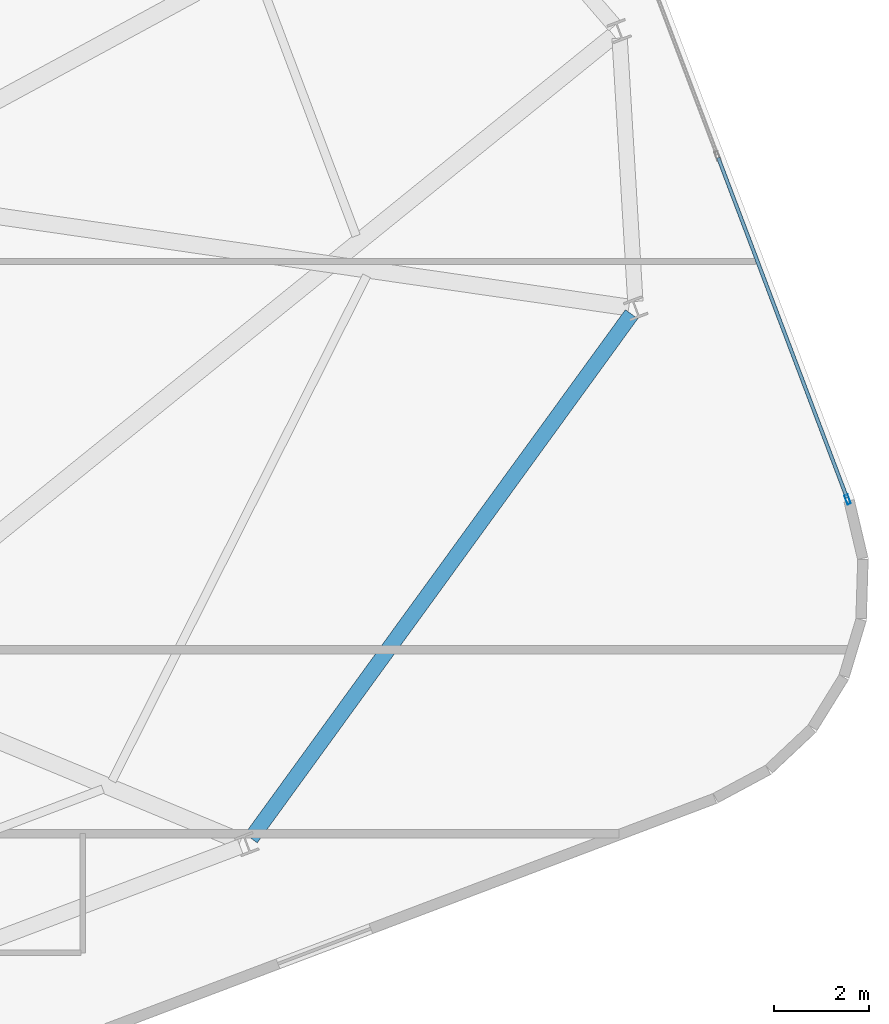
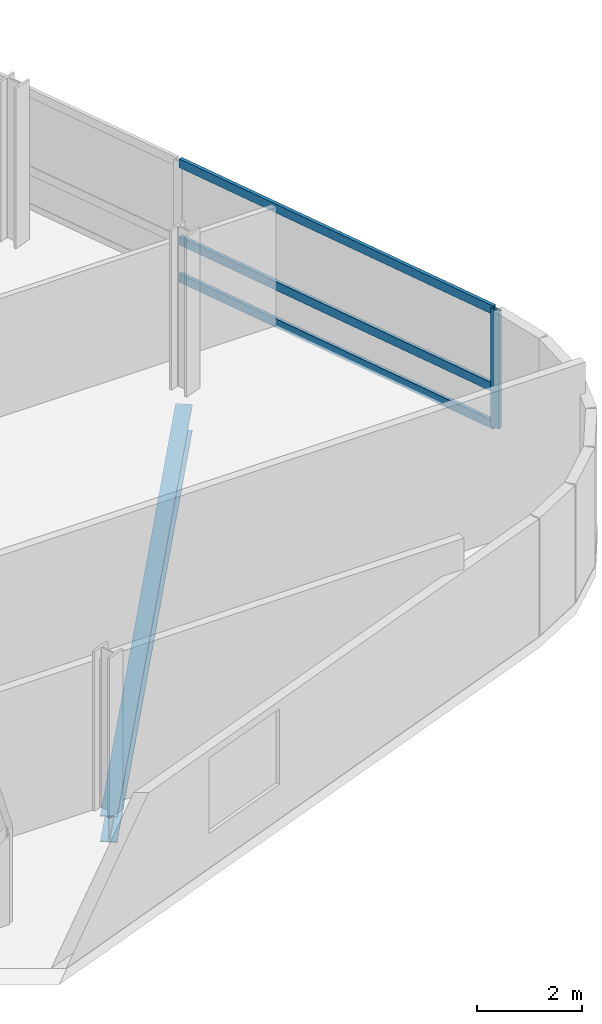
# One storey, part 11 of 19: 4 members, 1 beam, 1 element without a shape of its own.
"""IFC4 building model written with IfcOpenShell, lengths in metres."""

from ifc_helpers import new_model, si_unit, direction, frame, origin, origin_2d, place, context, subcontext, project, spatial, hollow_rectangle, i_section, extrude, material, layer, layer_set, material_profile, profile_set, type_object, element, aggregate, save


model = new_model("IFC4")

# Units and contexts
model_context = context("Model", 3, precision=1e-05, world=origin(), true_north=direction((0.0, 1.0)))
body_context = subcontext(model_context, "Body", "Model", "MODEL_VIEW")
ifc_project = project(units=[si_unit("LENGTHUNIT", "METRE"), si_unit("AREAUNIT", "SQUARE_METRE"), si_unit("VOLUMEUNIT", "CUBIC_METRE"), si_unit("PLANEANGLEUNIT", "RADIAN"), si_unit("MASSUNIT", "GRAM", prefix="KILO")], contexts=[model_context])

# Site, building, storey
site_placement = place(None, origin())
site = spatial("IfcSite", under=ifc_project, at=site_placement, CompositionType="ELEMENT")
building_placement = place(site_placement, origin())
building = spatial("IfcBuilding", under=site, at=building_placement, Name="Varnelok Gate Tower", CompositionType="ELEMENT")
storey_placement = place(building_placement, frame((0.0, 0.0, 246.0)))
storey = spatial("IfcBuildingStorey", under=building, at=storey_placement, Name="L63", CompositionType="ELEMENT", Elevation=246.0)

# Beam
ifc_material_1 = material(Name="Structural Steel ASTM A992 Grade 50", Category="steel")
ifc_material_profile_1 = material_profile(ifc_material_1, i_section(OverallWidth=0.323974609375, OverallDepth=0.611083984375, WebThickness=0.0126953125, FlangeThickness=0.01904296875, FilletRadius=0.01806640625, at=origin_2d()), Name="W24X104")
ifc_profile_set_1 = profile_set([ifc_material_profile_1], Name="Structural Steel ASTM A992 Grade 50")
beam_type = type_object("IfcBeamType", Name="BM-SPN-W24X104", PredefinedType="SPANDREL", material=ifc_profile_set_1)
beam_placement = place(storey_placement, frame((62.92041015625, 15.249755859375, -0.555419921875), z_axis=(0.58754084914, 0.809194507267, 0.0), x_axis=(-0.809194507267, 0.58754084914, 0.0)))
element("IfcBeam", 1, at=beam_placement, inside=storey, type_object=beam_type, Name="L63 Perimeter Spandrel Beam 5", PredefinedType="SPANDREL", context=body_context, shape_type="SweptSolid", body=[
    extrude(i_section(OverallWidth=0.323974609375, OverallDepth=0.611083984375, WebThickness=0.0126953125, FlangeThickness=0.01904296875, FilletRadius=0.01806640625, at=origin_2d()), origin(), (0.0, 0.0, 1.0), 13.695556640625),
])

# Curtain wall, members
ifc_material_2 = material(Name="Anodized Aluminum Alloy 6063-T6", Category="aluminium")
ifc_layer = layer(ifc_material_2, 0.179931640625)
ifc_layer_set = layer_set([ifc_layer], Name="Anodized Aluminum Alloy 6063-T6")
curtain_wall_type = type_object("IfcCurtainWallType", Name="CW4-RESIDENCE-VISION", PredefinedType="USERDEFINED", material=ifc_layer_set)
curtain_wall_placement = place(storey_placement, origin())
curtain_wall = element("IfcCurtainWall", 2, at=curtain_wall_placement, inside=storey, type_object=curtain_wall_type, Name="L63 East End Vision Curtain Wall", ObjectType="UNITISED CURTAIN WALL", PredefinedType="USERDEFINED")
ifc_material_profile_2 = material_profile(ifc_material_2, hollow_rectangle(XDim=0.074951171875, YDim=0.199951171875, WallThickness=0.00390625, at=origin_2d()), Name="ALU200X75X4")
ifc_profile_set_2 = profile_set([ifc_material_profile_2], Name="Anodized Aluminum Alloy 6063-T6")
member_type_1 = type_object("IfcMemberType", Name="CW-MULL-200", PredefinedType="MULLION", material=ifc_profile_set_2)
member_1_placement = place(storey_placement, frame((75.534912109375, 22.41552734375, 0.0), z_axis=(0.0, 0.0, 1.0), x_axis=(0.935221557832, 0.354063042079, 0.0)))
member_1 = element("IfcMember", 3, at=member_1_placement, type_object=member_type_1, Name="CW4 mullion 5", PredefinedType="MULLION", context=body_context, shape_type="SweptSolid", body=[
    extrude(hollow_rectangle(XDim=0.074951171875, YDim=0.199951171875, WallThickness=0.00390625, at=origin_2d()), origin(), (0.0, 0.0, 1.0), 2.72998046875),
])
ifc_material_profile_3 = material_profile(ifc_material_2, hollow_rectangle(XDim=0.074951171875, YDim=0.199951171875, WallThickness=0.00390625, at=origin_2d()), Name="ALU200X75X4")
ifc_profile_set_3 = profile_set([ifc_material_profile_3], Name="Anodized Aluminum Alloy 6063-T6")
member_type_2 = type_object("IfcMemberType", Name="CW-TRAN-200", PredefinedType="USERDEFINED", material=ifc_profile_set_3)
member_2_placement = place(storey_placement, frame((72.7998046875, 29.64013671875, 0.03759765625), z_axis=(0.354062525952, -0.935221753231, 0.0), x_axis=(0.935221753231, 0.354062525952, 0.0)))
member_2 = element("IfcMember", 4, at=member_2_placement, type_object=member_type_2, Name="CW4 transom 4.1", ObjectType="TRANSOM", PredefinedType="USERDEFINED", context=body_context, shape_type="SweptSolid", body=[
    extrude(hollow_rectangle(XDim=0.074951171875, YDim=0.199951171875, WallThickness=0.00390625, at=origin_2d()), origin(), (0.0, 0.0, 1.0), 7.687744140625),
])
member_3_placement = place(storey_placement, frame((72.7998046875, 29.64013671875, 0.89990234375), z_axis=(0.354062525952, -0.935221753231, 0.0), x_axis=(0.935221753231, 0.354062525952, 0.0)))
member_3 = element("IfcMember", 5, at=member_3_placement, type_object=member_type_2, Name="CW4 transom 4.2", ObjectType="TRANSOM", PredefinedType="USERDEFINED", context=body_context, shape_type="SweptSolid", body=[
    extrude(hollow_rectangle(XDim=0.074951171875, YDim=0.199951171875, WallThickness=0.00390625, at=origin_2d()), origin(), (0.0, 0.0, 1.0), 7.687744140625),
])
member_4_placement = place(storey_placement, frame((72.7998046875, 29.64013671875, 2.6923828125), z_axis=(0.354062525952, -0.935221753231, 0.0), x_axis=(0.935221753231, 0.354062525952, 0.0)))
member_4 = element("IfcMember", 6, at=member_4_placement, type_object=member_type_2, Name="CW4 transom 4.3", ObjectType="TRANSOM", PredefinedType="USERDEFINED", context=body_context, shape_type="SweptSolid", body=[
    extrude(hollow_rectangle(XDim=0.074951171875, YDim=0.199951171875, WallThickness=0.00390625, at=origin_2d()), origin(), (0.0, 0.0, 1.0), 7.687744140625),
])
aggregate(curtain_wall, [member_1, member_2, member_3, member_4])

save(model, "model.ifc")
